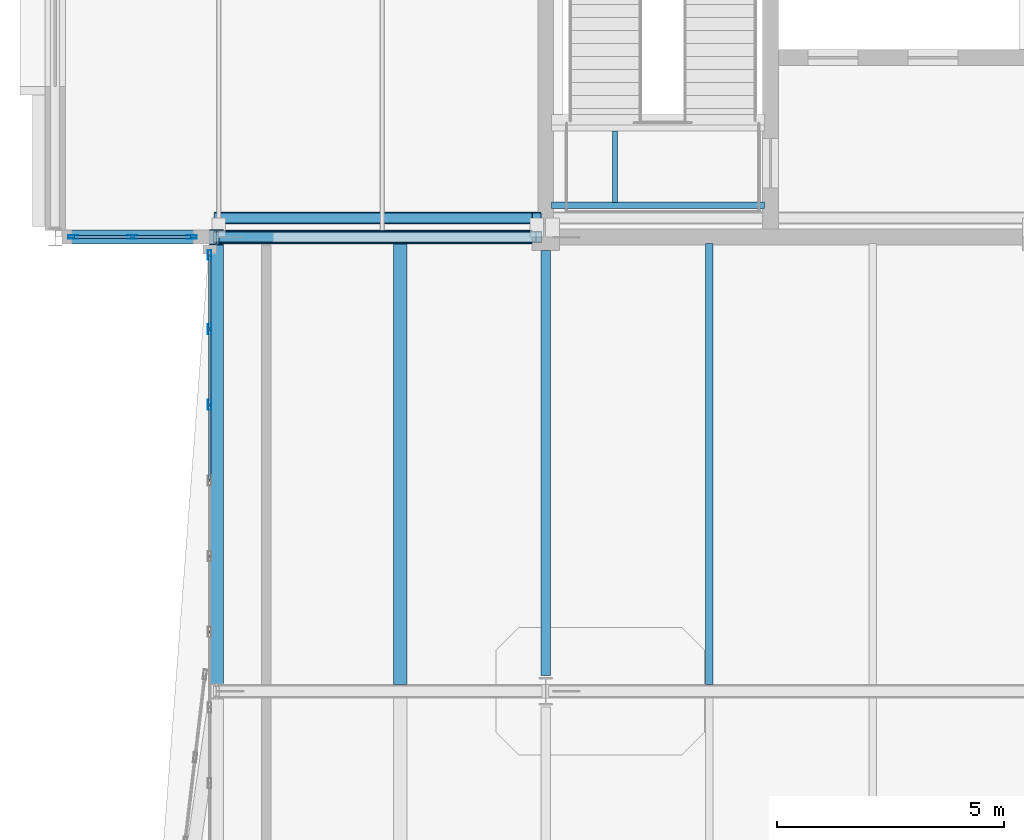
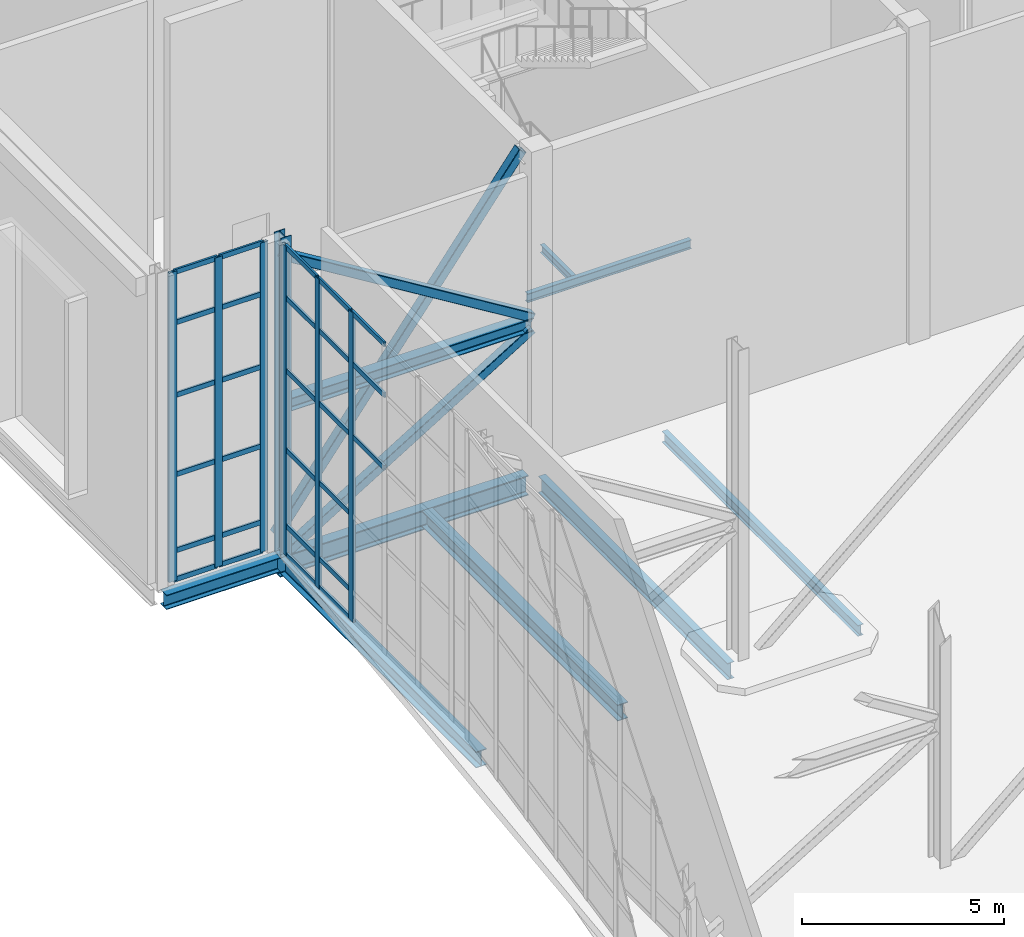
# One storey, part 26 of 100: 37 members, 9 beams, 2 elements without a shape of their own.
"""IFC4 building model written with IfcOpenShell, lengths in metres."""

from ifc_helpers import new_model, si_unit, direction, frame, origin, origin_2d, place, context, subcontext, project, spatial, hollow_rectangle, i_section, extrude, material, layer, layer_set, material_profile, profile_set, type_object, element, aggregate, save


model = new_model("IFC4")

# Units and contexts
model_context = context("Model", 3, precision=1e-05, world=origin(), true_north=direction((0.0, 1.0)))
body_context = subcontext(model_context, "Body", "Model", "MODEL_VIEW")
ifc_project = project(units=[si_unit("LENGTHUNIT", "METRE"), si_unit("AREAUNIT", "SQUARE_METRE"), si_unit("VOLUMEUNIT", "CUBIC_METRE"), si_unit("PLANEANGLEUNIT", "RADIAN"), si_unit("MASSUNIT", "GRAM", prefix="KILO")], contexts=[model_context])

# Site, building, storey
site_placement = place(None, origin())
site = spatial("IfcSite", under=ifc_project, at=site_placement, CompositionType="ELEMENT")
building_placement = place(site_placement, origin())
building = spatial("IfcBuilding", under=site, at=building_placement, Name="Tasgan Crest Museum", CompositionType="ELEMENT")
storey_placement = place(building_placement, frame((0.0, 0.0, 14.39990234375)))
storey = spatial("IfcBuildingStorey", under=building, at=storey_placement, Name="L03", CompositionType="ELEMENT", Elevation=14.39990234375)

# Beams
ifc_material_1 = material(Name="Steel S355K2", Category="steel")
ifc_material_profile_1 = material_profile(ifc_material_1, i_section(OverallWidth=0.300048828125, OverallDepth=0.60009765625, WebThickness=0.015380859375, FlangeThickness=0.030029296875, FilletRadius=0.027099609375, at=origin_2d()), Name="HEB 600")
ifc_profile_set_1 = profile_set([ifc_material_profile_1], Name="Steel S355K2")
beam_type_1 = type_object("IfcBeamType", Name="BM-CANT-G1", PredefinedType="BEAM", material=ifc_profile_set_1)
beam_1_placement = place(storey_placement, frame((3.39990234375, 82.0, -0.559814453125), z_axis=(1.0, 0.0, 0.0), x_axis=(0.0, 1.0, 0.0)))
element("IfcBeam", 1, at=beam_1_placement, inside=storey, type_object=beam_type_1, Name="Cantilever transfer girder MID J", PredefinedType="BEAM", context=body_context, shape_type="SweptSolid", body=[
    extrude(i_section(OverallWidth=0.300048828125, OverallDepth=0.60009765625, WebThickness=0.015380859375, FlangeThickness=0.030029296875, FilletRadius=0.027099609375, at=origin_2d()), origin(), (0.0, 0.0, 1.0), 7.10400390625),
])
ifc_material_2 = material(Name="Steel S355J2", Category="steel")
ifc_material_profile_2 = material_profile(ifc_material_2, i_section(OverallWidth=0.300048828125, OverallDepth=0.389892578125, WebThickness=0.010986328125, FlangeThickness=0.01904296875, FilletRadius=0.027099609375, at=origin_2d()), Name="HEA 400")
ifc_profile_set_2 = profile_set([ifc_material_profile_2], Name="Steel S355J2")
beam_type_2 = type_object("IfcBeamType", Name="BM-G-HEA400", PredefinedType="BEAM", material=ifc_profile_set_2)
beam_2_placement = place(storey_placement, frame((3.550048828125, 82.0, 4.25), z_axis=(1.0, 0.0, 0.0), x_axis=(0.0, 1.0, 0.0)))
element("IfcBeam", 2, at=beam_2_placement, inside=storey, type_object=beam_type_2, Name="Cantilever mid-height chord J", PredefinedType="BEAM", context=body_context, shape_type="SweptSolid", body=[
    extrude(i_section(OverallWidth=0.300048828125, OverallDepth=0.389892578125, WebThickness=0.010986328125, FlangeThickness=0.01904296875, FilletRadius=0.027099609375, at=origin_2d()), origin(), (0.0, 0.0, 1.0), 7.099853515625),
])
ifc_material_3 = material(Name="Steel S355J2", Category="steel")
ifc_material_profile_3 = material_profile(ifc_material_3, i_section(OverallWidth=0.300048828125, OverallDepth=0.43994140625, WebThickness=0.011474609375, FlangeThickness=0.02099609375, FilletRadius=0.027099609375, at=origin_2d()), Name="HEA 450")
ifc_profile_set_3 = profile_set([ifc_material_profile_3], Name="Steel S355J2")
beam_type_3 = type_object("IfcBeamType", Name="BM-G-HEA450", PredefinedType="BEAM", material=ifc_profile_set_3)
beam_3_placement = place(storey_placement, frame((0.14501953125, 82.0, -0.47998046875), z_axis=(1.0, 0.0, 0.0), x_axis=(0.0, 1.0, 0.0)))
element("IfcBeam", 3, at=beam_3_placement, inside=storey, type_object=beam_type_3, Name="Girder L03 J 0.0-4.4", PredefinedType="BEAM", context=body_context, shape_type="SweptSolid", body=[
    extrude(i_section(OverallWidth=0.300048828125, OverallDepth=0.43994140625, WebThickness=0.011474609375, FlangeThickness=0.02099609375, FilletRadius=0.027099609375, at=origin_2d()), origin(), (0.0, 0.0, 1.0), 3.2548828125),
])
ifc_material_4 = material(Name="Steel S355J2", Category="steel")
ifc_material_profile_4 = material_profile(ifc_material_4, i_section(OverallWidth=0.300048828125, OverallDepth=0.489990234375, WebThickness=0.011962890625, FlangeThickness=0.02294921875, FilletRadius=0.027099609375, at=origin_2d()), Name="HEA 500")
ifc_profile_set_4 = profile_set([ifc_material_profile_4], Name="Steel S355J2")
beam_type_4 = type_object("IfcBeamType", Name="BM-G-HEA500", PredefinedType="BEAM", material=ifc_profile_set_4)
for number, where, z_axis, x_axis, name in (
    (4, (3.550048828125, 72.14990234375, -0.5048828125), (0.0, 1.0, 0.0), (-1.0, 0.0, 0.0), "Cantilever edge beam L03 TIP 72-82"),
    (5, (7.60009765625, 72.14990234375, -0.5048828125), (0.0, 1.0, 0.0), (-1.0, 0.0, 0.0), "Cantilever edge beam L03 MID 72-82"),
):
    element("IfcBeam", number, at=place(storey_placement, frame(where, z_axis=z_axis, x_axis=x_axis)), inside=storey, type_object=beam_type_4, Name=name, PredefinedType="BEAM", context=body_context, shape_type="SweptSolid", body=[
        extrude(i_section(OverallWidth=0.300048828125, OverallDepth=0.489990234375, WebThickness=0.011962890625, FlangeThickness=0.02294921875, FilletRadius=0.027099609375, at=origin_2d()), origin(), (0.0, 0.0, 1.0), 9.7001953125),
    ])
ifc_material_5 = material(Name="Steel S355J2", Category="steel")
ifc_material_profile_5 = material_profile(ifc_material_5, i_section(OverallWidth=0.199951171875, OverallDepth=0.5, WebThickness=0.01025390625, FlangeThickness=0.01611328125, FilletRadius=0.02099609375, at=origin_2d()), Name="IPE 500")
ifc_profile_set_5 = profile_set([ifc_material_profile_5], Name="Steel S355J2")
beam_type_5 = type_object("IfcBeamType", Name="BM-G-IPE500", PredefinedType="BEAM", material=ifc_profile_set_5)
beam_4_placement = place(storey_placement, frame((10.800048828125, 72.344970703125, -0.510009765625), z_axis=(0.0, 1.0, 0.0), x_axis=(-1.0, 0.0, 0.0)))
element("IfcBeam", 6, at=beam_4_placement, inside=storey, type_object=beam_type_5, Name="Beam L03 2 72.0-82.0", PredefinedType="BEAM", context=body_context, shape_type="SweptSolid", body=[
    extrude(i_section(OverallWidth=0.199951171875, OverallDepth=0.5, WebThickness=0.01025390625, FlangeThickness=0.01611328125, FilletRadius=0.02099609375, at=origin_2d()), origin(), (0.0, 0.0, 1.0), 9.360107421875),
])
ifc_material_6 = material(Name="Steel S355J2", Category="steel")
ifc_material_profile_6 = material_profile(ifc_material_6, i_section(OverallWidth=0.159912109375, OverallDepth=0.330078125, WebThickness=0.007568359375, FlangeThickness=0.011474609375, FilletRadius=0.01806640625, at=origin_2d()), Name="IPE 330")
ifc_profile_set_6 = profile_set([ifc_material_profile_6], Name="Steel S355J2")
beam_type_6 = type_object("IfcBeamType", Name="BM-J-IPE330", PredefinedType="JOIST", material=ifc_profile_set_6)
beam_5_placement = place(storey_placement, frame((14.39990234375, 72.14501953125, -0.4248046875), z_axis=(0.0, 1.0, 0.0), x_axis=(-1.0, 0.0, 0.0)))
element("IfcBeam", 7, at=beam_5_placement, inside=storey, type_object=beam_type_6, Name="Secondary joist L03 X=14.4 Y=72.0-82.0", PredefinedType="JOIST", context=body_context, shape_type="SweptSolid", body=[
    extrude(i_section(OverallWidth=0.159912109375, OverallDepth=0.330078125, WebThickness=0.007568359375, FlangeThickness=0.011474609375, FilletRadius=0.01806640625, at=origin_2d()), origin(), (0.0, 0.0, 1.0), 9.7099609375),
])
ifc_material_7 = material(Name="Steel S355J2", Category="steel")
ifc_material_profile_7 = material_profile(ifc_material_7, i_section(OverallWidth=0.1201171875, OverallDepth=0.239990234375, WebThickness=0.006103515625, FlangeThickness=0.009765625, FilletRadius=0.014892578125, at=origin_2d()), Name="IPE 240")
ifc_profile_set_7 = profile_set([ifc_material_profile_7], Name="Steel S355J2")
beam_type_7 = type_object("IfcBeamType", Name="BM-LAND-IPE240", PredefinedType="BEAM", material=ifc_profile_set_7)
beam_6_placement = place(storey_placement, frame((12.324951171875, 82.760009765625, 4.47998046875), z_axis=(0.0, 1.0, 0.0), x_axis=(-1.0, 0.0, 0.0)))
element("IfcBeam", 8, at=beam_6_placement, inside=storey, type_object=beam_type_7, Name="Stair intermediate landing crossbeam ST-NW-L03", PredefinedType="BEAM", context=body_context, shape_type="SweptSolid", body=[
    extrude(i_section(OverallWidth=0.1201171875, OverallDepth=0.239990234375, WebThickness=0.006103515625, FlangeThickness=0.009765625, FilletRadius=0.014892578125, at=origin_2d()), origin(), (0.0, 0.0, 1.0), 1.580078125),
])
ifc_material_8 = material(Name="Steel S355J2", Category="steel")
ifc_material_profile_8 = material_profile(ifc_material_8, i_section(OverallWidth=0.135009765625, OverallDepth=0.27001953125, WebThickness=0.006591796875, FlangeThickness=0.01025390625, FilletRadius=0.014892578125, at=origin_2d()), Name="IPE 270")
ifc_profile_set_8 = profile_set([ifc_material_profile_8], Name="Steel S355J2")
beam_type_8 = type_object("IfcBeamType", Name="BM-LAND-IPE270", PredefinedType="BEAM", material=ifc_profile_set_8)
beam_7_placement = place(storey_placement, frame((10.929931640625, 82.699951171875, 4.465087890625), z_axis=(1.0, 0.0, 0.0), x_axis=(0.0, 1.0, 0.0)))
element("IfcBeam", 9, at=beam_7_placement, inside=storey, type_object=beam_type_8, Name="Stair intermediate landing beam ST-NW-L03 F", PredefinedType="BEAM", context=body_context, shape_type="SweptSolid", body=[
    extrude(i_section(OverallWidth=0.135009765625, OverallDepth=0.27001953125, WebThickness=0.006591796875, FlangeThickness=0.01025390625, FilletRadius=0.014892578125, at=origin_2d()), origin(), (0.0, 0.0, 1.0), 4.690185546875),
])

# Curtain wall, members
ifc_material_9 = material(Name="Triple-Glazed Aluminium Curtain Wall", Category="aluminium")
ifc_layer_1 = layer(ifc_material_9, 0.179931640625, Name="CW-CANT-SIDE-96")
ifc_layer_set_1 = layer_set([ifc_layer_1], Name="Triple-Glazed Aluminium Curtain Wall")
curtain_wall_type_1 = type_object("IfcCurtainWallType", Name="CW-CANT-SIDE-96", PredefinedType="NOTDEFINED", material=ifc_layer_set_1)
curtain_wall_1_placement = place(storey_placement, origin())
curtain_wall_1 = element("IfcCurtainWall", 10, at=curtain_wall_1_placement, inside=storey, type_object=curtain_wall_type_1, Name="Curtain wall L03 137", PredefinedType="NOTDEFINED")
ifc_material_10 = material(Name="Anodised Aluminium", Category="aluminium")
ifc_material_profile_9 = material_profile(ifc_material_10, hollow_rectangle(XDim=0.074951171875, YDim=0.219970703125, WallThickness=0.006103515625, at=origin_2d()), Name="ALU MULLION 220x75x6")
ifc_profile_set_9 = profile_set([ifc_material_profile_9], Name="Anodised Aluminium")
member_type_1 = type_object("IfcMemberType", Name="CW-MULLION-220", PredefinedType="MULLION", material=ifc_profile_set_9)
member_1_placement = place(storey_placement, frame((0.39501953125, 82.0, 0.0), z_axis=(0.0, 0.0, 1.0), x_axis=(0.0, 1.0, 0.0)))
member_1 = element("IfcMember", 11, at=member_1_placement, type_object=member_type_1, Name="CW12 mullion 1", PredefinedType="MULLION", context=body_context, shape_type="SweptSolid", body=[
    extrude(hollow_rectangle(XDim=0.074951171875, YDim=0.219970703125, WallThickness=0.006103515625, at=origin_2d()), origin(), (0.0, 0.0, 1.0), 9.360107421875),
])
member_2_placement = place(storey_placement, frame((1.699951171875, 82.0, 0.0), z_axis=(0.0, 0.0, 1.0), x_axis=(0.0, 1.0, 0.0)))
member_2 = element("IfcMember", 12, at=member_2_placement, type_object=member_type_1, Name="CW12 mullion 2", PredefinedType="MULLION", context=body_context, shape_type="SweptSolid", body=[
    extrude(hollow_rectangle(XDim=0.074951171875, YDim=0.219970703125, WallThickness=0.006103515625, at=origin_2d()), origin(), (0.0, 0.0, 1.0), 9.360107421875),
])
member_3_placement = place(storey_placement, frame((3.0048828125, 82.0, 0.0), z_axis=(0.0, 0.0, 1.0), x_axis=(0.0, 1.0, 0.0)))
member_3 = element("IfcMember", 13, at=member_3_placement, type_object=member_type_1, Name="CW12 mullion 3", PredefinedType="MULLION", context=body_context, shape_type="SweptSolid", body=[
    extrude(hollow_rectangle(XDim=0.074951171875, YDim=0.219970703125, WallThickness=0.006103515625, at=origin_2d()), origin(), (0.0, 0.0, 1.0), 9.360107421875),
])

ifc_material_11 = material(Name="Triple-Glazed Aluminium Curtain Wall", Category="aluminium")
ifc_layer_2 = layer(ifc_material_11, 0.179931640625, Name="CW-CANT-TIP-96")
ifc_layer_set_2 = layer_set([ifc_layer_2], Name="Triple-Glazed Aluminium Curtain Wall")
curtain_wall_type_2 = type_object("IfcCurtainWallType", Name="CW-CANT-TIP-96", PredefinedType="NOTDEFINED", material=ifc_layer_set_2)
curtain_wall_2_placement = place(storey_placement, origin())
curtain_wall_2 = element("IfcCurtainWall", 14, at=curtain_wall_2_placement, inside=storey, type_object=curtain_wall_type_2, Name="Curtain wall L03 138", PredefinedType="NOTDEFINED")
member_4_placement = place(storey_placement, frame((3.39990234375, 81.60498046875, 0.0), z_axis=(0.0, 0.0, 1.0), x_axis=(1.0, 0.0, 0.0)))
member_4 = element("IfcMember", 15, at=member_4_placement, type_object=member_type_1, Name="CW10 mullion 1", PredefinedType="MULLION", context=body_context, shape_type="SweptSolid", body=[
    extrude(hollow_rectangle(XDim=0.074951171875, YDim=0.219970703125, WallThickness=0.006103515625, at=origin_2d()), origin(), (0.0, 0.0, 1.0), 9.360107421875),
])
member_5_placement = place(storey_placement, frame((3.39990234375, 79.96923828125, 0.0), z_axis=(0.0, 0.0, 1.0), x_axis=(1.0, 0.0, 0.0)))
member_5 = element("IfcMember", 16, at=member_5_placement, type_object=member_type_1, Name="CW10 mullion 2", PredefinedType="MULLION", context=body_context, shape_type="SweptSolid", body=[
    extrude(hollow_rectangle(XDim=0.074951171875, YDim=0.219970703125, WallThickness=0.006103515625, at=origin_2d()), origin(), (0.0, 0.0, 1.0), 9.360107421875),
])
member_6_placement = place(storey_placement, frame((3.39990234375, 78.30322265625, 0.0), z_axis=(0.0, 0.0, 1.0), x_axis=(1.0, 0.0, 0.0)))
member_6 = element("IfcMember", 17, at=member_6_placement, type_object=member_type_1, Name="CW10 mullion 3", PredefinedType="MULLION", context=body_context, shape_type="SweptSolid", body=[
    extrude(hollow_rectangle(XDim=0.074951171875, YDim=0.219970703125, WallThickness=0.006103515625, at=origin_2d()), origin(), (0.0, 0.0, 1.0), 9.360107421875),
])

# Member
ifc_material_12 = material(Name="Anodised Aluminium", Category="aluminium")
ifc_material_profile_10 = material_profile(ifc_material_12, hollow_rectangle(XDim=0.06005859375, YDim=0.14990234375, WallThickness=0.0048828125, at=origin_2d()), Name="ALU TRANSOM 150x60x5")
ifc_profile_set_10 = profile_set([ifc_material_profile_10], Name="Anodised Aluminium")
member_type_2 = type_object("IfcMemberType", Name="CW-TRANSOM-150", PredefinedType="USERDEFINED", material=ifc_profile_set_10)
member_7_placement = place(storey_placement, frame((0.425048828125, 82.0, 0.030029296875), z_axis=(1.0, 0.0, 0.0), x_axis=(0.0, 1.0, 0.0)))
member_7 = element("IfcMember", 18, at=member_7_placement, type_object=member_type_2, Name="CW12 transom 1.1", ObjectType="TRANSOM", PredefinedType="USERDEFINED", context=body_context, shape_type="SweptSolid", body=[
    extrude(hollow_rectangle(XDim=0.06005859375, YDim=0.14990234375, WallThickness=0.0048828125, at=origin_2d()), origin(), (0.0, 0.0, 1.0), 1.244873046875),
])

member_8_placement = place(storey_placement, frame((0.425048828125, 82.0, 0.900146484375), z_axis=(1.0, 0.0, 0.0), x_axis=(0.0, 1.0, 0.0)))
member_8 = element("IfcMember", 19, at=member_8_placement, type_object=member_type_2, Name="CW12 transom 1.2", ObjectType="TRANSOM", PredefinedType="USERDEFINED", context=body_context, shape_type="SweptSolid", body=[
    extrude(hollow_rectangle(XDim=0.06005859375, YDim=0.14990234375, WallThickness=0.0048828125, at=origin_2d()), origin(), (0.0, 0.0, 1.0), 1.244873046875),
])

member_9_placement = place(storey_placement, frame((0.425048828125, 82.0, 3.2001953125), z_axis=(1.0, 0.0, 0.0), x_axis=(0.0, 1.0, 0.0)))
member_9 = element("IfcMember", 20, at=member_9_placement, type_object=member_type_2, Name="CW12 transom 1.3", ObjectType="TRANSOM", PredefinedType="USERDEFINED", context=body_context, shape_type="SweptSolid", body=[
    extrude(hollow_rectangle(XDim=0.06005859375, YDim=0.14990234375, WallThickness=0.0048828125, at=origin_2d()), origin(), (0.0, 0.0, 1.0), 1.244873046875),
])

member_10_placement = place(storey_placement, frame((0.425048828125, 82.0, 5.60009765625), z_axis=(1.0, 0.0, 0.0), x_axis=(0.0, 1.0, 0.0)))
member_10 = element("IfcMember", 21, at=member_10_placement, type_object=member_type_2, Name="CW12 transom 1.4", ObjectType="TRANSOM", PredefinedType="USERDEFINED", context=body_context, shape_type="SweptSolid", body=[
    extrude(hollow_rectangle(XDim=0.06005859375, YDim=0.14990234375, WallThickness=0.0048828125, at=origin_2d()), origin(), (0.0, 0.0, 1.0), 1.244873046875),
])

member_11_placement = place(storey_placement, frame((0.425048828125, 82.0, 7.800048828125), z_axis=(1.0, 0.0, 0.0), x_axis=(0.0, 1.0, 0.0)))
member_11 = element("IfcMember", 22, at=member_11_placement, type_object=member_type_2, Name="CW12 transom 1.5", ObjectType="TRANSOM", PredefinedType="USERDEFINED", context=body_context, shape_type="SweptSolid", body=[
    extrude(hollow_rectangle(XDim=0.06005859375, YDim=0.14990234375, WallThickness=0.0048828125, at=origin_2d()), origin(), (0.0, 0.0, 1.0), 1.244873046875),
])

member_12_placement = place(storey_placement, frame((0.425048828125, 82.0, 9.330078125), z_axis=(1.0, 0.0, 0.0), x_axis=(0.0, 1.0, 0.0)))
member_12 = element("IfcMember", 23, at=member_12_placement, type_object=member_type_2, Name="CW12 transom 1.6", ObjectType="TRANSOM", PredefinedType="USERDEFINED", context=body_context, shape_type="SweptSolid", body=[
    extrude(hollow_rectangle(XDim=0.06005859375, YDim=0.14990234375, WallThickness=0.0048828125, at=origin_2d()), origin(), (0.0, 0.0, 1.0), 1.244873046875),
])

member_13_placement = place(storey_placement, frame((1.72998046875, 82.0, 0.030029296875), z_axis=(1.0, 0.0, 0.0), x_axis=(0.0, 1.0, 0.0)))
member_13 = element("IfcMember", 24, at=member_13_placement, type_object=member_type_2, Name="CW12 transom 2.1", ObjectType="TRANSOM", PredefinedType="USERDEFINED", context=body_context, shape_type="SweptSolid", body=[
    extrude(hollow_rectangle(XDim=0.06005859375, YDim=0.14990234375, WallThickness=0.0048828125, at=origin_2d()), origin(), (0.0, 0.0, 1.0), 1.2451171875),
])

member_14_placement = place(storey_placement, frame((1.72998046875, 82.0, 0.900146484375), z_axis=(1.0, 0.0, 0.0), x_axis=(0.0, 1.0, 0.0)))
member_14 = element("IfcMember", 25, at=member_14_placement, type_object=member_type_2, Name="CW12 transom 2.2", ObjectType="TRANSOM", PredefinedType="USERDEFINED", context=body_context, shape_type="SweptSolid", body=[
    extrude(hollow_rectangle(XDim=0.06005859375, YDim=0.14990234375, WallThickness=0.0048828125, at=origin_2d()), origin(), (0.0, 0.0, 1.0), 1.2451171875),
])

member_15_placement = place(storey_placement, frame((1.72998046875, 82.0, 3.2001953125), z_axis=(1.0, 0.0, 0.0), x_axis=(0.0, 1.0, 0.0)))
member_15 = element("IfcMember", 26, at=member_15_placement, type_object=member_type_2, Name="CW12 transom 2.3", ObjectType="TRANSOM", PredefinedType="USERDEFINED", context=body_context, shape_type="SweptSolid", body=[
    extrude(hollow_rectangle(XDim=0.06005859375, YDim=0.14990234375, WallThickness=0.0048828125, at=origin_2d()), origin(), (0.0, 0.0, 1.0), 1.2451171875),
])

member_16_placement = place(storey_placement, frame((1.72998046875, 82.0, 5.60009765625), z_axis=(1.0, 0.0, 0.0), x_axis=(0.0, 1.0, 0.0)))
member_16 = element("IfcMember", 27, at=member_16_placement, type_object=member_type_2, Name="CW12 transom 2.4", ObjectType="TRANSOM", PredefinedType="USERDEFINED", context=body_context, shape_type="SweptSolid", body=[
    extrude(hollow_rectangle(XDim=0.06005859375, YDim=0.14990234375, WallThickness=0.0048828125, at=origin_2d()), origin(), (0.0, 0.0, 1.0), 1.2451171875),
])

member_17_placement = place(storey_placement, frame((1.72998046875, 82.0, 7.800048828125), z_axis=(1.0, 0.0, 0.0), x_axis=(0.0, 1.0, 0.0)))
member_17 = element("IfcMember", 28, at=member_17_placement, type_object=member_type_2, Name="CW12 transom 2.5", ObjectType="TRANSOM", PredefinedType="USERDEFINED", context=body_context, shape_type="SweptSolid", body=[
    extrude(hollow_rectangle(XDim=0.06005859375, YDim=0.14990234375, WallThickness=0.0048828125, at=origin_2d()), origin(), (0.0, 0.0, 1.0), 1.2451171875),
])

member_18_placement = place(storey_placement, frame((1.72998046875, 82.0, 9.330078125), z_axis=(1.0, 0.0, 0.0), x_axis=(0.0, 1.0, 0.0)))
member_18 = element("IfcMember", 29, at=member_18_placement, type_object=member_type_2, Name="CW12 transom 2.6", ObjectType="TRANSOM", PredefinedType="USERDEFINED", context=body_context, shape_type="SweptSolid", body=[
    extrude(hollow_rectangle(XDim=0.06005859375, YDim=0.14990234375, WallThickness=0.0048828125, at=origin_2d()), origin(), (0.0, 0.0, 1.0), 1.2451171875),
])

aggregate(curtain_wall_1, [member_1, member_2, member_3, member_7, member_8, member_9, member_10, member_11, member_12, member_13, member_14, member_15, member_16, member_17, member_18])

member_19_placement = place(storey_placement, frame((3.39990234375, 81.574951171875, 0.030029296875), z_axis=(0.0, -1.0, 0.0), x_axis=(1.0, 0.0, 0.0)))
member_19 = element("IfcMember", 30, at=member_19_placement, type_object=member_type_2, Name="CW10 transom 1.1", ObjectType="TRANSOM", PredefinedType="USERDEFINED", context=body_context, shape_type="SweptSolid", body=[
    extrude(hollow_rectangle(XDim=0.06005859375, YDim=0.14990234375, WallThickness=0.0048828125, at=origin_2d()), origin(), (0.0, 0.0, 1.0), 1.57568359375),
])

member_20_placement = place(storey_placement, frame((3.39990234375, 81.574951171875, 0.900146484375), z_axis=(0.0, -1.0, 0.0), x_axis=(1.0, 0.0, 0.0)))
member_20 = element("IfcMember", 31, at=member_20_placement, type_object=member_type_2, Name="CW10 transom 1.2", ObjectType="TRANSOM", PredefinedType="USERDEFINED", context=body_context, shape_type="SweptSolid", body=[
    extrude(hollow_rectangle(XDim=0.06005859375, YDim=0.14990234375, WallThickness=0.0048828125, at=origin_2d()), origin(), (0.0, 0.0, 1.0), 1.57568359375),
])

member_21_placement = place(storey_placement, frame((3.39990234375, 81.574951171875, 3.2001953125), z_axis=(0.0, -1.0, 0.0), x_axis=(1.0, 0.0, 0.0)))
member_21 = element("IfcMember", 32, at=member_21_placement, type_object=member_type_2, Name="CW10 transom 1.3", ObjectType="TRANSOM", PredefinedType="USERDEFINED", context=body_context, shape_type="SweptSolid", body=[
    extrude(hollow_rectangle(XDim=0.06005859375, YDim=0.14990234375, WallThickness=0.0048828125, at=origin_2d()), origin(), (0.0, 0.0, 1.0), 1.57568359375),
])

member_22_placement = place(storey_placement, frame((3.39990234375, 81.574951171875, 5.60009765625), z_axis=(0.0, -1.0, 0.0), x_axis=(1.0, 0.0, 0.0)))
member_22 = element("IfcMember", 33, at=member_22_placement, type_object=member_type_2, Name="CW10 transom 1.4", ObjectType="TRANSOM", PredefinedType="USERDEFINED", context=body_context, shape_type="SweptSolid", body=[
    extrude(hollow_rectangle(XDim=0.06005859375, YDim=0.14990234375, WallThickness=0.0048828125, at=origin_2d()), origin(), (0.0, 0.0, 1.0), 1.57568359375),
])

member_23_placement = place(storey_placement, frame((3.39990234375, 81.574951171875, 7.800048828125), z_axis=(0.0, -1.0, 0.0), x_axis=(1.0, 0.0, 0.0)))
member_23 = element("IfcMember", 34, at=member_23_placement, type_object=member_type_2, Name="CW10 transom 1.5", ObjectType="TRANSOM", PredefinedType="USERDEFINED", context=body_context, shape_type="SweptSolid", body=[
    extrude(hollow_rectangle(XDim=0.06005859375, YDim=0.14990234375, WallThickness=0.0048828125, at=origin_2d()), origin(), (0.0, 0.0, 1.0), 1.57568359375),
])

member_24_placement = place(storey_placement, frame((3.39990234375, 81.574951171875, 9.330078125), z_axis=(0.0, -1.0, 0.0), x_axis=(1.0, 0.0, 0.0)))
member_24 = element("IfcMember", 35, at=member_24_placement, type_object=member_type_2, Name="CW10 transom 1.6", ObjectType="TRANSOM", PredefinedType="USERDEFINED", context=body_context, shape_type="SweptSolid", body=[
    extrude(hollow_rectangle(XDim=0.06005859375, YDim=0.14990234375, WallThickness=0.0048828125, at=origin_2d()), origin(), (0.0, 0.0, 1.0), 1.57568359375),
])

member_25_placement = place(storey_placement, frame((3.39990234375, 79.939208984375, 0.030029296875), z_axis=(0.0, -1.0, 0.0), x_axis=(1.0, 0.0, 0.0)))
member_25 = element("IfcMember", 36, at=member_25_placement, type_object=member_type_2, Name="CW10 transom 2.1", ObjectType="TRANSOM", PredefinedType="USERDEFINED", context=body_context, shape_type="SweptSolid", body=[
    extrude(hollow_rectangle(XDim=0.06005859375, YDim=0.14990234375, WallThickness=0.0048828125, at=origin_2d()), origin(), (0.0, 0.0, 1.0), 1.60595703125),
])

member_26_placement = place(storey_placement, frame((3.39990234375, 79.939208984375, 0.900146484375), z_axis=(0.0, -1.0, 0.0), x_axis=(1.0, 0.0, 0.0)))
member_26 = element("IfcMember", 37, at=member_26_placement, type_object=member_type_2, Name="CW10 transom 2.2", ObjectType="TRANSOM", PredefinedType="USERDEFINED", context=body_context, shape_type="SweptSolid", body=[
    extrude(hollow_rectangle(XDim=0.06005859375, YDim=0.14990234375, WallThickness=0.0048828125, at=origin_2d()), origin(), (0.0, 0.0, 1.0), 1.60595703125),
])

member_27_placement = place(storey_placement, frame((3.39990234375, 79.939208984375, 3.2001953125), z_axis=(0.0, -1.0, 0.0), x_axis=(1.0, 0.0, 0.0)))
member_27 = element("IfcMember", 38, at=member_27_placement, type_object=member_type_2, Name="CW10 transom 2.3", ObjectType="TRANSOM", PredefinedType="USERDEFINED", context=body_context, shape_type="SweptSolid", body=[
    extrude(hollow_rectangle(XDim=0.06005859375, YDim=0.14990234375, WallThickness=0.0048828125, at=origin_2d()), origin(), (0.0, 0.0, 1.0), 1.60595703125),
])

member_28_placement = place(storey_placement, frame((3.39990234375, 79.939208984375, 5.60009765625), z_axis=(0.0, -1.0, 0.0), x_axis=(1.0, 0.0, 0.0)))
member_28 = element("IfcMember", 39, at=member_28_placement, type_object=member_type_2, Name="CW10 transom 2.4", ObjectType="TRANSOM", PredefinedType="USERDEFINED", context=body_context, shape_type="SweptSolid", body=[
    extrude(hollow_rectangle(XDim=0.06005859375, YDim=0.14990234375, WallThickness=0.0048828125, at=origin_2d()), origin(), (0.0, 0.0, 1.0), 1.60595703125),
])

member_29_placement = place(storey_placement, frame((3.39990234375, 79.939208984375, 7.800048828125), z_axis=(0.0, -1.0, 0.0), x_axis=(1.0, 0.0, 0.0)))
member_29 = element("IfcMember", 40, at=member_29_placement, type_object=member_type_2, Name="CW10 transom 2.5", ObjectType="TRANSOM", PredefinedType="USERDEFINED", context=body_context, shape_type="SweptSolid", body=[
    extrude(hollow_rectangle(XDim=0.06005859375, YDim=0.14990234375, WallThickness=0.0048828125, at=origin_2d()), origin(), (0.0, 0.0, 1.0), 1.60595703125),
])

member_30_placement = place(storey_placement, frame((3.39990234375, 79.939208984375, 9.330078125), z_axis=(0.0, -1.0, 0.0), x_axis=(1.0, 0.0, 0.0)))
member_30 = element("IfcMember", 41, at=member_30_placement, type_object=member_type_2, Name="CW10 transom 2.6", ObjectType="TRANSOM", PredefinedType="USERDEFINED", context=body_context, shape_type="SweptSolid", body=[
    extrude(hollow_rectangle(XDim=0.06005859375, YDim=0.14990234375, WallThickness=0.0048828125, at=origin_2d()), origin(), (0.0, 0.0, 1.0), 1.60595703125),
])

member_31_placement = place(storey_placement, frame((3.39990234375, 78.2734375, 5.60009765625), z_axis=(0.0, -1.0, 0.0), x_axis=(1.0, 0.0, 0.0)))
member_31 = element("IfcMember", 42, at=member_31_placement, type_object=member_type_2, Name="CW10 transom 3.4", ObjectType="TRANSOM", PredefinedType="USERDEFINED", context=body_context, shape_type="SweptSolid", body=[
    extrude(hollow_rectangle(XDim=0.06005859375, YDim=0.14990234375, WallThickness=0.0048828125, at=origin_2d()), origin(), (0.0, 0.0, 1.0), 1.60595703125),
])

member_32_placement = place(storey_placement, frame((3.39990234375, 78.2734375, 7.800048828125), z_axis=(0.0, -1.0, 0.0), x_axis=(1.0, 0.0, 0.0)))
member_32 = element("IfcMember", 43, at=member_32_placement, type_object=member_type_2, Name="CW10 transom 3.5", ObjectType="TRANSOM", PredefinedType="USERDEFINED", context=body_context, shape_type="SweptSolid", body=[
    extrude(hollow_rectangle(XDim=0.06005859375, YDim=0.14990234375, WallThickness=0.0048828125, at=origin_2d()), origin(), (0.0, 0.0, 1.0), 1.60595703125),
])

member_33_placement = place(storey_placement, frame((3.39990234375, 78.2734375, 9.330078125), z_axis=(0.0, -1.0, 0.0), x_axis=(1.0, 0.0, 0.0)))
member_33 = element("IfcMember", 44, at=member_33_placement, type_object=member_type_2, Name="CW10 transom 3.6", ObjectType="TRANSOM", PredefinedType="USERDEFINED", context=body_context, shape_type="SweptSolid", body=[
    extrude(hollow_rectangle(XDim=0.06005859375, YDim=0.14990234375, WallThickness=0.0048828125, at=origin_2d()), origin(), (0.0, 0.0, 1.0), 1.60595703125),
])

aggregate(curtain_wall_2, [member_4, member_5, member_6, member_19, member_20, member_21, member_22, member_23, member_24, member_25, member_26, member_27, member_28, member_29, member_30, member_31, member_32, member_33])

# Members
ifc_material_13 = material(Name="Steel S355K2", Category="steel")
ifc_material_profile_11 = material_profile(ifc_material_13, hollow_rectangle(XDim=0.260009765625, YDim=0.260009765625, WallThickness=0.01416015625, InnerFilletRadius=0.01416015625, OuterFilletRadius=0.0283203125, at=origin_2d()), Name="SHS 260x260x14.2")
ifc_profile_set_11 = profile_set([ifc_material_profile_11], Name="Steel S355K2")
member_type_3 = type_object("IfcMemberType", Name="TR-CANT-DIAG", PredefinedType="BRACE", material=ifc_profile_set_11)
for number, where, z_axis, x_axis, name in (
    (45, (3.550048828125, 82.0, -0.27978515625), (0.852690578755, 0.0, 0.52241628698), (0.0, 1.0, 0.0), "Transfer truss diagonal L03 lower J"),
    (46, (10.64990234375, 82.0, 4.43017578125), (-0.852690578755, 0.0, 0.52241628698), (0.0, -1.0, 0.0), "Transfer truss diagonal L03 upper J"),
):
    element("IfcMember", number, at=place(storey_placement, frame(where, z_axis=z_axis, x_axis=x_axis)), inside=storey, type_object=member_type_3, Name=name, PredefinedType="BRACE", context=body_context, shape_type="SweptSolid", body=[
        extrude(hollow_rectangle(XDim=0.260009765625, YDim=0.260009765625, WallThickness=0.01416015625, InnerFilletRadius=0.01416015625, OuterFilletRadius=0.0283203125, at=origin_2d()), origin(), (0.0, 0.0, 1.0), 8.326416015625),
    ])
member_34_placement = place(storey_placement, frame((3.60009765625, 82.419921875, 0.050048828125), z_axis=(0.605523867895, 0.0, 0.795827145434), x_axis=(0.0, 1.0, 0.0)))
element("IfcMember", 47, at=member_34_placement, inside=storey, type_object=member_type_3, Name="Exposed transfer truss diagonal N3", PredefinedType="BRACE", context=body_context, shape_type="SweptSolid", body=[
    extrude(hollow_rectangle(XDim=0.260009765625, YDim=0.260009765625, WallThickness=0.01416015625, InnerFilletRadius=0.01416015625, OuterFilletRadius=0.0283203125, at=origin_2d()), origin(), (0.0, 0.0, 1.0), 11.560302734375),
])
ifc_material_14 = material(Name="Steel S355K2", Category="steel")
ifc_material_profile_12 = material_profile(ifc_material_14, i_section(OverallWidth=0.300048828125, OverallDepth=0.340087890625, WebThickness=0.011962890625, FlangeThickness=0.021484375, FilletRadius=0.027099609375, at=origin_2d()), Name="HEB 340")
ifc_profile_set_12 = profile_set([ifc_material_profile_12], Name="Steel S355K2")
member_type_4 = type_object("IfcMemberType", Name="TR-CANT-POST", PredefinedType="POST", material=ifc_profile_set_12)
member_35_placement = place(storey_placement, frame((3.550048828125, 82.0, -0.260009765625), z_axis=(0.0, 0.0, 1.0), x_axis=(1.0, 0.0, 0.0)))
element("IfcMember", 48, at=member_35_placement, inside=storey, type_object=member_type_4, Name="Cantilever truss tip post L03 J", PredefinedType="POST", context=body_context, shape_type="SweptSolid", body=[
    extrude(i_section(OverallWidth=0.300048828125, OverallDepth=0.340087890625, WebThickness=0.011962890625, FlangeThickness=0.021484375, FilletRadius=0.027099609375, at=origin_2d()), origin(), (0.0, 0.0, 1.0), 9.66015625),
])

save(model, "model.ifc")
